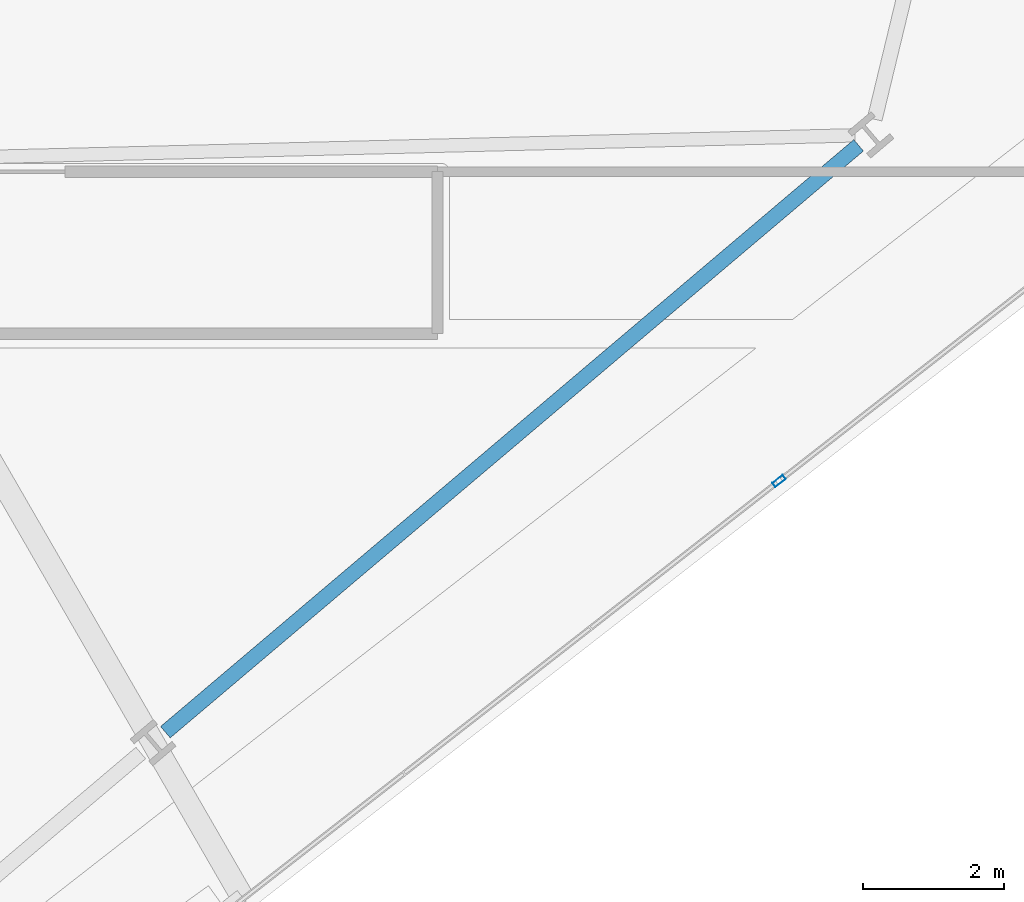
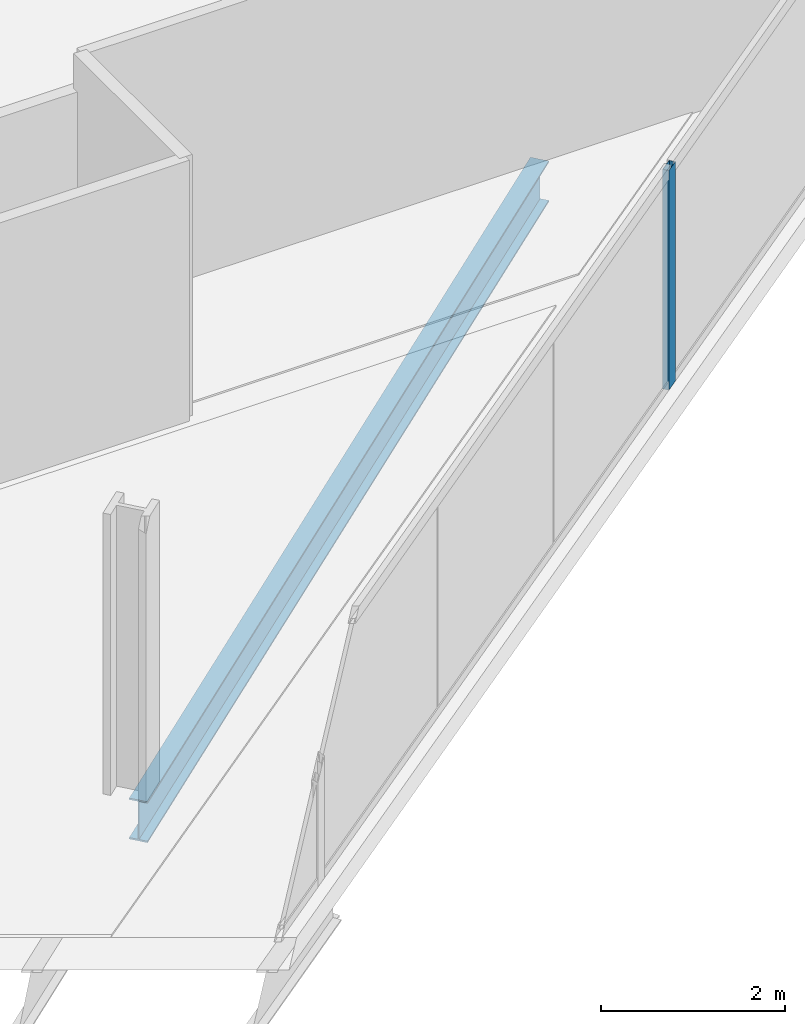
# One storey, part 9 of 32: 1 beam, 1 member, 1 element without a shape of its own.
"""IFC4 building model written with IfcOpenShell, lengths in metres."""

import ifcopenshell
import ifcopenshell.guid

model = None  # the IFC model being written
_history = None  # IfcOwnerHistory: only IFC2X3 demands one
_inside = {}  # id of a spatial element -> (the spatial element, [elements in it])
_under = {}  # id of a project, library or spatial element -> (it, [spatial elements below it])
_declared = {}  # id of a project -> (the project, [libraries it declares])
_typed = {}  # id of a type object -> (the type object, [elements of that type])
_made_of = {}  # id of a material, layer set ... -> (it, [elements and type objects made of it])


def new_model(schema):
    """Start an empty IFC model of exactly this schema.

    Asked for "IFC4X3", IfcOpenShell would pick the latest addendum, in which some entities
    have other attributes; the version numbers below select the first issue.
    IFC2X3 requires an IfcOwnerHistory on every rooted entity: one is made here for all.
    """
    global model, _history
    if schema == "IFC4X3":
        model = ifcopenshell.file(schema_version=(4, 3, 0, 0))
    else:
        model = ifcopenshell.file(schema=schema)
    _inside.clear()
    _under.clear()
    _declared.clear()
    _typed.clear()
    _made_of.clear()
    _history = None
    if model.schema == "IFC2X3":
        org = make("IfcOrganization", Name="unknown")
        user = make(
            "IfcPersonAndOrganization",
            ThePerson=make("IfcPerson", FamilyName="unknown"),
            TheOrganization=org,
        )
        app = make(
            "IfcApplication",
            ApplicationDeveloper=org,
            Version="unknown",
            ApplicationFullName="unknown",
            ApplicationIdentifier="unknown",
        )
        _history = make(
            "IfcOwnerHistory",
            OwningUser=user,
            OwningApplication=app,
            ChangeAction="ADDED",
            CreationDate=0,
        )
    return model


def make(cls, **values):
    """One entity of the class cls with the attributes given. An attribute that is None is left unset."""
    return model.create_entity(
        cls, **{name: value for name, value in values.items() if value is not None}
    )


def rooted(cls, **values):
    """An entity with a GlobalId (a new one), such as an element, a storey or a relation."""
    return make(cls, GlobalId=ifcopenshell.guid.new(), OwnerHistory=_history, **values)


def si_unit(unit_type, name, prefix=None):
    """IfcSIUnit, for example si_unit("LENGTHUNIT", "METRE", prefix="MILLI")."""
    return make("IfcSIUnit", UnitType=unit_type, Prefix=prefix, Name=name)


def assignment(units):
    """IfcUnitAssignment: the units of a project."""
    return None if units is None else make("IfcUnitAssignment", Units=units)


def point(xyz):
    """IfcCartesianPoint."""
    return None if xyz is None else make("IfcCartesianPoint", Coordinates=xyz)


def direction(xyz):
    """IfcDirection."""
    return None if xyz is None else make("IfcDirection", DirectionRatios=xyz)


def frame(location, z_axis=None, x_axis=None):
    """IfcAxis2Placement3D, a coordinate frame: its origin and axes. An axis left out is left unset."""
    return make(
        "IfcAxis2Placement3D",
        Location=point(location),
        Axis=direction(z_axis),
        RefDirection=direction(x_axis),
    )


def frame_2d(location, x_axis=None):
    """IfcAxis2Placement2D, a coordinate frame in the plane: its origin and x axis."""
    return make(
        "IfcAxis2Placement2D", Location=point(location), RefDirection=direction(x_axis)
    )


def origin():
    """The frame at (0, 0, 0) with its axes left unset."""
    return frame((0.0, 0.0, 0.0))


def origin_2d():
    """The frame at (0, 0) in the plane with its x axis left unset."""
    return frame_2d((0.0, 0.0))


def place(relative_to, where):
    """IfcLocalPlacement: puts the frame where relative to a parent placement (None: the world)."""
    return make(
        "IfcLocalPlacement", PlacementRelTo=relative_to, RelativePlacement=where
    )


def context(
    kind, dimensions, precision=None, world=None, true_north=None, identifier=None
):
    """IfcGeometricRepresentationContext, for example the 3D "Model" context."""
    return make(
        "IfcGeometricRepresentationContext",
        ContextIdentifier=identifier,
        ContextType=kind,
        CoordinateSpaceDimension=dimensions,
        Precision=precision,
        WorldCoordinateSystem=world,
        TrueNorth=true_north,
    )


def subcontext(parent, identifier, kind, view, scale=None):
    """IfcGeometricRepresentationSubContext, for example "Body" below "Model"."""
    return make(
        "IfcGeometricRepresentationSubContext",
        ContextIdentifier=identifier,
        ContextType=kind,
        ParentContext=parent,
        TargetScale=scale,
        TargetView=view,
    )


def project(units=None, contexts=None):
    """IfcProject with its units and contexts."""
    return rooted(
        "IfcProject",
        Name="project",
        RepresentationContexts=contexts,
        UnitsInContext=assignment(units),
    )


def spatial(cls, under=None, at=None, **own):
    """A site, building, storey or space (cls), placed at a placement, below another one or the project."""
    s = rooted(cls, ObjectPlacement=at, **own)
    if under is not None:
        _under.setdefault(under.id(), (under, []))[1].append(s)
    return s


def profile(cls, at=None, kind="AREA", **sizes):
    """A parametric profile (cls). Its sizes go by their IFC names, for example OverallWidth=200.0."""
    return make(cls, ProfileType=kind, Position=at, **sizes)


def hollow_rectangle(**sizes):
    """IfcRectangleHollowProfileDef."""
    return profile("IfcRectangleHollowProfileDef", **sizes)


def i_section(**sizes):
    """IfcIShapeProfileDef."""
    return profile("IfcIShapeProfileDef", **sizes)


def extrude(swept, where, along, depth):
    """IfcExtrudedAreaSolid: the profile swept, set in the frame where, extruded along a direction by depth."""
    return make(
        "IfcExtrudedAreaSolid",
        SweptArea=swept,
        Position=where,
        ExtrudedDirection=direction(along),
        Depth=depth,
    )


def shape(context_of_items, identifier, shape_type, items):
    """IfcShapeRepresentation: the items that make up one representation, for example the "Body"."""
    return make(
        "IfcShapeRepresentation",
        ContextOfItems=context_of_items,
        RepresentationIdentifier=identifier,
        RepresentationType=shape_type,
        Items=items,
    )


def material(Name=None, Category=None):
    """IfcMaterial."""
    return make("IfcMaterial", Name=Name, Category=Category)


def material_profile(
    of_material, cross_section, Name=None, Category=None, Priority=None
):
    """IfcMaterialProfile: a cross section and its material."""
    return make(
        "IfcMaterialProfile",
        Name=Name,
        Material=of_material,
        Profile=cross_section,
        Priority=Priority,
        Category=Category,
    )


def profile_set(profiles, Name=None, composite=None):
    """IfcMaterialProfileSet."""
    return make(
        "IfcMaterialProfileSet",
        Name=Name,
        MaterialProfiles=profiles,
        CompositeProfile=composite,
    )


def made_of(thing, what):
    """Note that an element or type object is made of a material, layer set ...; save() writes the relation."""
    if what is not None:
        _made_of.setdefault(what.id(), (what, []))[1].append(thing)
    return thing


def type_object(cls, material=None, **own):
    """A type object (cls), such as IfcWallType, which elements share."""
    return made_of(rooted(cls, **own), material)


def element(
    cls,
    number,
    at=None,
    inside=None,
    cuts=None,
    type_object=None,
    material=None,
    context=None,
    identifier="Body",
    shape_type=None,
    held_by="IfcProductDefinitionShape",
    body=None,
    shapes=None,
    **own,
):
    """One element of the class cls, such as IfcWall. Its Tag is "e" and its number.

    at: its placement. inside: the storey or other place that contains it. cuts: it is an
    opening in that element (IfcRelVoidsElement). A single representation is given by context,
    identifier, shape_type and body (its items); several are given by shapes. held_by: the class
    of the entity that holds the representations. save() writes the other relations.
    """
    e = rooted(cls, Tag="e%d" % number, ObjectPlacement=at, **own)
    if body is not None:
        shapes = [shape(context, identifier, shape_type, body)]
    if shapes is not None:
        e.Representation = make(held_by, Representations=shapes)
    if inside is not None:
        _inside.setdefault(inside.id(), (inside, []))[1].append(e)
    if cuts is not None:
        rooted(
            "IfcRelVoidsElement", RelatingBuildingElement=cuts, RelatedOpeningElement=e
        )
    if type_object is not None:
        _typed.setdefault(type_object.id(), (type_object, []))[1].append(e)
    return made_of(e, material)


def aggregate(whole, parts):
    """IfcRelAggregates: a whole, such as a stair, and the parts it consists of."""
    return rooted("IfcRelAggregates", RelatingObject=whole, RelatedObjects=parts)


def save(model, path):
    """Write the relations noted so far, then the file.

    IfcRelAggregates (storeys below a building ...), IfcRelContainedInSpatialStructure (elements
    in a storey), IfcRelDefinesByType, IfcRelAssociatesMaterial and IfcRelDeclares: one each for
    every whole, place, type object, material and project.
    """
    for whole, parts in _under.values():
        aggregate(whole, parts)
    for where, things in _inside.values():
        rooted(
            "IfcRelContainedInSpatialStructure",
            RelatedElements=things,
            RelatingStructure=where,
        )
    for kind, things in _typed.values():
        rooted("IfcRelDefinesByType", RelatedObjects=things, RelatingType=kind)
    for what, things in _made_of.values():
        rooted("IfcRelAssociatesMaterial", RelatedObjects=things, RelatingMaterial=what)
    for by, libraries in _declared.values():
        rooted("IfcRelDeclares", RelatingContext=by, RelatedDefinitions=libraries)
    model.write(path)


model = new_model("IFC4")

# Units and contexts
model_context = context("Model", 3, precision=1e-05, world=origin(), true_north=direction((0.0, 1.0)))
body_context = subcontext(model_context, "Body", "Model", "MODEL_VIEW")
ifc_project = project(units=[si_unit("LENGTHUNIT", "METRE"), si_unit("AREAUNIT", "SQUARE_METRE"), si_unit("VOLUMEUNIT", "CUBIC_METRE"), si_unit("PLANEANGLEUNIT", "RADIAN"), si_unit("MASSUNIT", "GRAM", prefix="KILO")], contexts=[model_context])

# Site, building, storey
site_placement = place(None, origin())
site = spatial("IfcSite", under=ifc_project, at=site_placement, CompositionType="ELEMENT")
building_placement = place(site_placement, origin())
building = spatial("IfcBuilding", under=site, at=building_placement, Name="Haldenkirk Collegiate Tower", CompositionType="ELEMENT")
storey_placement = place(building_placement, frame((0.0, 0.0, 155.699951171875)))
storey = spatial("IfcBuildingStorey", under=building, at=storey_placement, Name="L38", CompositionType="ELEMENT", Elevation=155.699951171875)

# Beam
ifc_material_1 = material(Name="Steel ASTM A992 Grade 50", Category="steel")
ifc_material_profile_1 = material_profile(ifc_material_1, i_section(OverallWidth=0.2119140625, OverallDepth=0.5439453125, WebThickness=0.01318359375, FlangeThickness=0.021240234375, at=origin_2d()), Name="W21X83")
ifc_profile_set_1 = profile_set([ifc_material_profile_1], Name="Steel ASTM A992 Grade 50")
beam_type = type_object("IfcBeamType", Name="BM-SPANDREL-W21X83", PredefinedType="SPANDREL", material=ifc_profile_set_1)
beam_placement = place(storey_placement, frame((49.937255859375, 9.89111328125, -0.56201171875), z_axis=(0.763233335078, 0.646122957514, 0.0), x_axis=(-0.646122957514, 0.763233335078, 0.0)))
element("IfcBeam", 1, at=beam_placement, inside=storey, type_object=beam_type, Name="L38 perimeter spandrel beam 03", PredefinedType="SPANDREL", context=body_context, shape_type="SweptSolid", body=[
    extrude(i_section(OverallWidth=0.2119140625, OverallDepth=0.5439453125, WebThickness=0.01318359375, FlangeThickness=0.021240234375, at=origin_2d()), origin(), (0.0, 0.0, 1.0), 12.898193359375),
])

# Curtain wall, member
ifc_material_2 = material(Name="Anodised architectural bronze aluminium", Category="aluminium")
curtain_wall_type = type_object("IfcCurtainWallType", Name="CW-SYS2-CONCAVE", PredefinedType="USERDEFINED", material=ifc_material_2)
curtain_wall_placement = place(storey_placement, origin())
curtain_wall = element("IfcCurtainWall", 2, at=curtain_wall_placement, inside=storey, type_object=curtain_wall_type, Name="L38 South concave recessed bronze-anodised curtain wall", ObjectType="UNITISED CURTAIN WALL", PredefinedType="USERDEFINED")
ifc_material_profile_2 = material_profile(ifc_material_2, hollow_rectangle(XDim=0.074951171875, YDim=0.18994140625, WallThickness=0.0048828125, at=origin_2d()), Name="CW-MUL-02")
ifc_profile_set_2 = profile_set([ifc_material_profile_2], Name="Anodised architectural bronze aluminium")
member_type = type_object("IfcMemberType", Name="CW-MUL-02", PredefinedType="MULLION", material=ifc_profile_set_2)
member_placement = place(storey_placement, frame((58.65234375, 13.458740234375, 0.0), z_axis=(0.0, 0.0, 1.0), x_axis=(0.614973604921, -0.788547693707, 0.0)))
member = element("IfcMember", 3, at=member_placement, type_object=member_type, Name="CW-02 mullion 2", PredefinedType="MULLION", context=body_context, shape_type="SweptSolid", body=[
    extrude(hollow_rectangle(XDim=0.074951171875, YDim=0.18994140625, WallThickness=0.0048828125, at=origin_2d()), origin(), (0.0, 0.0, 1.0), 2.9111328125),
])
aggregate(curtain_wall, [member])

save(model, "model.ifc")
